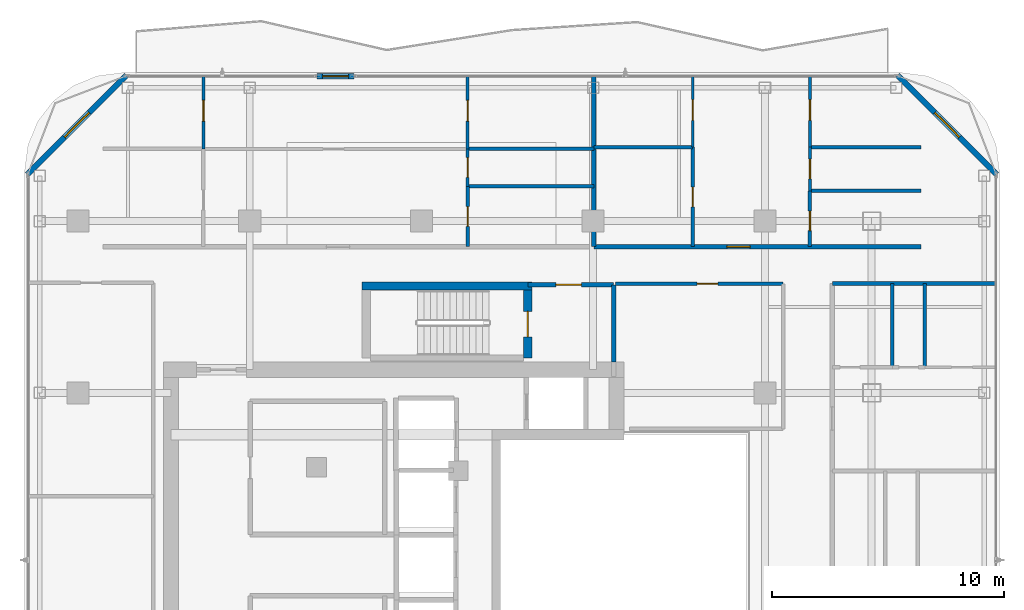
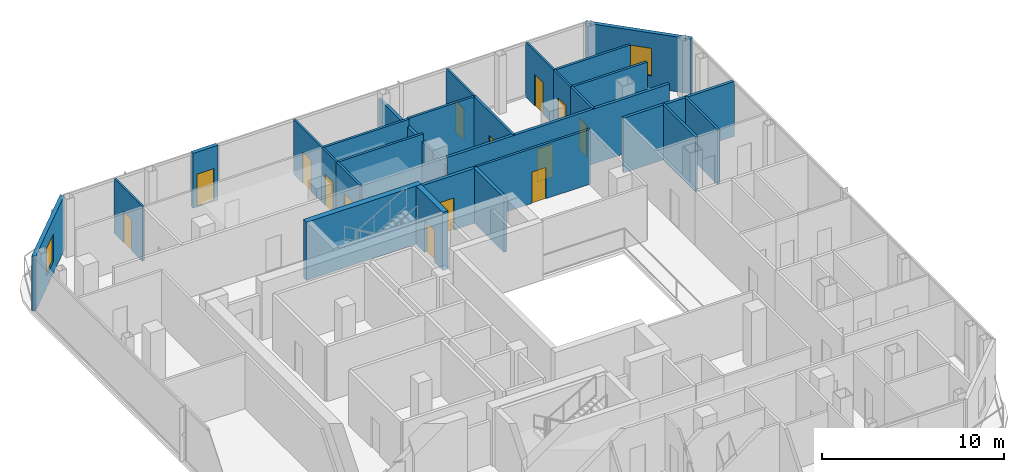
# One storey, part 20 of 26: 27 walls, 14 doors, 2 windows, 16 openings.
"""IFC4 building model written with IfcOpenShell, lengths in metres."""

from ifc_helpers import new_model, si_unit, direction, frame, frame_2d, origin, place, context, subcontext, project, spatial, rectangle, extrude, material, layer, layer_set, type_object, element, fill, save


model = new_model("IFC4")

# Units and contexts
model_context = context("Model", 3, precision=1e-05, world=origin(), true_north=direction((0.0, 1.0)))
body_context = subcontext(model_context, "Body", "Model", "MODEL_VIEW")
ifc_project = project(units=[si_unit("LENGTHUNIT", "METRE"), si_unit("AREAUNIT", "SQUARE_METRE"), si_unit("VOLUMEUNIT", "CUBIC_METRE"), si_unit("PLANEANGLEUNIT", "RADIAN"), si_unit("MASSUNIT", "GRAM", prefix="KILO")], contexts=[model_context])

# Site, building, storey
site_placement = place(None, origin())
site = spatial("IfcSite", under=ifc_project, at=site_placement, CompositionType="ELEMENT")
building_placement = place(site_placement, origin())
building = spatial("IfcBuilding", under=site, at=building_placement, Name="Khorvyn Point Tower", CompositionType="ELEMENT")
storey_placement = place(building_placement, frame((0.0, 0.0, 262.5)))
storey = spatial("IfcBuildingStorey", under=building, at=storey_placement, Name="L64", CompositionType="ELEMENT", Elevation=262.5)

# Wall, opening, door
ifc_material_1 = material(Name="Double acoustic gypsum on twin steel stud", Category="steel")
ifc_layer_1 = layer(ifc_material_1, 0.179931640625)
ifc_layer_set_1 = layer_set([ifc_layer_1], Name="Acoustic Double-Stud Apartment Demising Wall 180")
wall_type_1 = type_object("IfcWallType", Name="Acoustic Double-Stud Apartment Demising Wall 180", PredefinedType="PARTITIONING", material=ifc_layer_set_1)
wall_1_placement = place(storey_placement, frame((7.424072265625, 13.699951171875, 0.0), z_axis=(0.0, 0.0, 1.0), x_axis=(1.0, 0.0, 0.0)))
wall_1 = element("IfcWall", 1, at=wall_1_placement, inside=storey, type_object=wall_type_1, Name="Wall", PredefinedType="PARTITIONING", context=body_context, shape_type="SweptSolid", body=[
    extrude(rectangle(XDim=14.095947265625, YDim=0.179931640625, at=frame_2d((7.0478515625, 0.0))), origin(), (0.0, 0.0, 1.0), 3.679931640625),
])
opening_1_placement = place(wall_1_placement, frame((5.73828125, 0.0, 0.0)))
opening_1 = element("IfcOpeningElement", 2, at=opening_1_placement, cuts=wall_1, Name="Opening ID-AP60", PredefinedType="OPENING", context=body_context, shape_type="SweptSolid", body=[
    extrude(rectangle(XDim=1.0, YDim=2.199951171875, at=frame_2d((0.5, 1.10009765625))), frame((0.0, 0.099853515625, 0.0), z_axis=(0.0, -1.0, 0.0), x_axis=(1.0, 0.0, 0.0)), (0.0, 0.0, 1.0), 0.199951171875),
])
ifc_material_2 = material(Name="Engineered hardwood fire-rated leaf", Category="wood")
door_type_1 = type_object("IfcDoorType", Name="Acoustic Solid-Core Timber Apartment Entrance Door 1000x2200", OperationType="NOTDEFINED", PredefinedType="DOOR", material=ifc_material_2)
door_1_placement = place(opening_1_placement, origin())
door_1 = element("IfcDoor", 3, at=door_1_placement, inside=storey, type_object=door_type_1, Name="Door", OperationType="SINGLE_SWING_RIGHT", OverallHeight=2.199951171875, OverallWidth=1.0, PredefinedType="DOOR", context=body_context, shape_type="SweptSolid", body=[
    extrude(rectangle(XDim=1.0, YDim=2.199951171875, at=frame_2d((0.5, 1.10009765625))), frame((0.0, 0.02490234375, 0.0), z_axis=(0.0, -1.0, 0.0), x_axis=(1.0, 0.0, 0.0)), (0.0, 0.0, 1.0), 0.050048828125),
])
fill(opening_1, door_1)

# Walls
wall_2_placement = place(storey_placement, frame((7.424072265625, 13.699951171875, 0.0), z_axis=(0.0, 0.0, 1.0), x_axis=(0.0, 1.0, 0.0)))
element("IfcWall", 4, at=wall_2_placement, inside=storey, type_object=wall_type_1, Name="Wall", PredefinedType="PARTITIONING", context=body_context, shape_type="SweptSolid", body=[
    extrude(rectangle(XDim=7.330078125, YDim=0.179931640625, at=frame_2d((3.6650390625, 0.0))), origin(), (0.0, 0.0, 1.0), 3.181884765625),
])
wall_3_placement = place(storey_placement, frame((17.699951171875, 12.1201171875, 0.0), z_axis=(0.0, 0.0, 1.0), x_axis=(1.0, 0.0, 0.0)))
element("IfcWall", 5, at=wall_3_placement, inside=storey, type_object=wall_type_1, Name="Wall", PredefinedType="PARTITIONING", context=body_context, shape_type="SweptSolid", body=[
    extrude(rectangle(XDim=7.030029296875, YDim=0.179931640625, at=frame_2d((3.51513671875, 0.0))), origin(), (0.0, 0.0, 1.0), 3.679931640625),
])

# Wall, opening, door
ifc_material_3 = material(Name="Pale anodised aluminium rainscreen on steel stud", Category="steel")
ifc_layer_2 = layer(ifc_material_3, 0.239990234375)
ifc_layer_set_2 = layer_set([ifc_layer_2], Name="Anodised Aluminium Insulated Corner Spandrel Wall 240")
wall_type_2 = type_object("IfcWallType", Name="Anodised Aluminium Insulated Corner Spandrel Wall 240", PredefinedType="SOLIDWALL", material=ifc_layer_set_2)
wall_4_placement = place(storey_placement, frame((-4.4951171875, 21.050048828125, 0.0), z_axis=(0.0, 0.0, 1.0), x_axis=(1.0, 0.0, 0.0)))
wall_4 = element("IfcWall", 6, at=wall_4_placement, inside=storey, type_object=wall_type_2, Name="L64 North Outdoor Threshold Wall", PredefinedType="SOLIDWALL", context=body_context, shape_type="SweptSolid", body=[
    extrude(rectangle(XDim=1.580078125, YDim=0.239990234375, at=frame_2d((0.7900390625, 0.0))), origin(), (0.0, 0.0, 1.0), 3.679931640625),
])
opening_2_placement = place(wall_4_placement, frame((0.239990234375, 0.0, 0.0)))
opening_2 = element("IfcOpeningElement", 7, at=opening_2_placement, cuts=wall_4, Name="Opening BD-1122", PredefinedType="OPENING", context=body_context, shape_type="SweptSolid", body=[
    extrude(rectangle(XDim=1.10009765625, YDim=2.199951171875, at=frame_2d((0.550048828125, 1.10009765625))), frame((0.0, 0.1298828125, 0.0), z_axis=(0.0, -1.0, 0.0), x_axis=(1.0, 0.0, 0.0)), (0.0, 0.0, 1.0), 0.260009765625),
])
ifc_material_4 = material(Name="Anodised aluminium 6063-T6 and laminated Low-E glass", Category="aluminium")
door_type_2 = type_object("IfcDoorType", Name="Glazed Balcony and Terrace Threshold Door 1100x2200", OperationType="NOTDEFINED", PredefinedType="DOOR", material=ifc_material_4)
door_2_placement = place(opening_2_placement, origin())
door_2 = element("IfcDoor", 8, at=door_2_placement, inside=storey, type_object=door_type_2, Name="L64 North Glazed Balcony Outdoor Door", OperationType="SINGLE_SWING_LEFT", OverallHeight=2.199951171875, OverallWidth=1.10009765625, PredefinedType="DOOR", context=body_context, shape_type="SweptSolid", body=[
    extrude(rectangle(XDim=1.10009765625, YDim=2.199951171875, at=frame_2d((0.550048828125, 1.10009765625))), frame((0.0, 0.02490234375, 0.0), z_axis=(0.0, -1.0, 0.0), x_axis=(1.0, 0.0, 0.0)), (0.0, 0.0, 1.0), 0.050048828125),
])
fill(opening_2, door_2)

# Wall, opening, window
wall_5_placement = place(storey_placement, frame((-16.992431640625, 16.8076171875, 0.0), z_axis=(0.0, 0.0, 1.0), x_axis=(0.707126925818, 0.707086635981, 0.0)))
wall_5 = element("IfcWall", 9, at=wall_5_placement, inside=storey, type_object=wall_type_2, Name="L64 Rounded Corner Wall NW", PredefinedType="SOLIDWALL", context=body_context, shape_type="SweptSolid", body=[
    extrude(rectangle(XDim=6.0595703125, YDim=0.239990234375, at=frame_2d((3.02978515625, 0.0))), origin(), (0.0, 0.0, 1.0), 3.679931640625),
])
opening_3_placement = place(wall_5_placement, frame((2.27978515625, 0.0, 0.800048828125)))
opening_3 = element("IfcOpeningElement", 10, at=opening_3_placement, cuts=wall_5, Name="Opening WN-1518", PredefinedType="OPENING", context=body_context, shape_type="SweptSolid", body=[
    extrude(rectangle(XDim=1.5, YDim=1.85009765625, at=frame_2d((0.75, 0.925048828125))), frame((0.0, 0.1298828125, 0.0), z_axis=(0.0, -1.0, 0.0), x_axis=(1.0, 0.0, 0.0)), (0.0, 0.0, 1.0), 0.260009765625),
])
window_type = type_object("IfcWindowType", Name="Anodised Aluminium Rounded-Corner Panoramic Window 1500x1850", PartitioningType="SINGLE_PANEL", PredefinedType="WINDOW", material=ifc_material_4)
window_1_placement = place(opening_3_placement, origin())
window_1 = element("IfcWindow", 11, at=window_1_placement, inside=storey, type_object=window_type, Name="L64 Corner Panoramic Window NW", OverallHeight=1.85009765625, OverallWidth=1.5, PartitioningType="SINGLE_PANEL", PredefinedType="WINDOW", context=body_context, shape_type="SweptSolid", body=[
    extrude(rectangle(XDim=1.5, YDim=1.85009765625, at=frame_2d((0.75, 0.925048828125))), frame((0.0, 0.030029296875, 0.0), z_axis=(0.0, -1.0, 0.0), x_axis=(1.0, 0.0, 0.0)), (0.0, 0.0, 1.0), 0.06005859375),
])
fill(opening_3, window_1)

wall_6_placement = place(storey_placement, frame((20.507568359375, 21.09228515625, 0.0), z_axis=(0.0, 0.0, 1.0), x_axis=(0.707126925818, -0.707086635981, 0.0)))
wall_6 = element("IfcWall", 12, at=wall_6_placement, inside=storey, type_object=wall_type_2, Name="L64 Rounded Corner Wall NE", PredefinedType="SOLIDWALL", context=body_context, shape_type="SweptSolid", body=[
    extrude(rectangle(XDim=6.0595703125, YDim=0.239990234375, at=frame_2d((3.02978515625, 0.0))), origin(), (0.0, 0.0, 1.0), 3.679931640625),
])
opening_4_placement = place(wall_6_placement, frame((2.27978515625, 0.0, 0.800048828125)))
opening_4 = element("IfcOpeningElement", 13, at=opening_4_placement, cuts=wall_6, Name="Opening WN-1518", PredefinedType="OPENING", context=body_context, shape_type="SweptSolid", body=[
    extrude(rectangle(XDim=1.5, YDim=1.85009765625, at=frame_2d((0.75, 0.925048828125))), frame((0.0, 0.1298828125, 0.0), z_axis=(0.0, -1.0, 0.0), x_axis=(1.0, 0.0, 0.0)), (0.0, 0.0, 1.0), 0.260009765625),
])
window_2_placement = place(opening_4_placement, origin())
window_2 = element("IfcWindow", 14, at=window_2_placement, inside=storey, type_object=window_type, Name="L64 Corner Panoramic Window NE", OverallHeight=1.85009765625, OverallWidth=1.5, PartitioningType="SINGLE_PANEL", PredefinedType="WINDOW", context=body_context, shape_type="SweptSolid", body=[
    extrude(rectangle(XDim=1.5, YDim=1.85009765625, at=frame_2d((0.75, 0.925048828125))), frame((0.0, 0.030029296875, 0.0), z_axis=(0.0, -1.0, 0.0), x_axis=(1.0, 0.0, 0.0)), (0.0, 0.0, 1.0), 0.06005859375),
])
fill(opening_4, window_2)

# Wall, opening, door
ifc_material_5 = material(Name="Concrete C40/50", Category="concrete")
ifc_layer_3 = layer(ifc_material_5, 0.199951171875)
ifc_layer_set_3 = layer_set([ifc_layer_3], Name="Concrete C40/50 Fire-Lobby Compartment Wall 200")
wall_type_3 = type_object("IfcWallType", Name="Concrete C40/50 Fire-Lobby Compartment Wall 200", PredefinedType="SOLIDWALL", material=ifc_layer_set_3)
wall_7_placement = place(storey_placement, frame((4.580078125, 12.06005859375, 0.0), z_axis=(0.0, 0.0, 1.0), x_axis=(1.0, 0.0, 0.0)))
wall_7 = element("IfcWall", 15, at=wall_7_placement, inside=storey, type_object=wall_type_3, Name="Wall", PredefinedType="SOLIDWALL", context=body_context, shape_type="SweptSolid", body=[
    extrude(rectangle(XDim=3.699951171875, YDim=0.199951171875, at=frame_2d((1.85009765625, 0.0))), origin(), (0.0, 0.0, 1.0), 3.679931640625),
])
opening_5_placement = place(wall_7_placement, frame((1.21240234375, 0.0, 0.0)))
opening_5 = element("IfcOpeningElement", 16, at=opening_5_placement, cuts=wall_7, Name="Opening ID-FL90", PredefinedType="OPENING", context=body_context, shape_type="SweptSolid", body=[
    extrude(rectangle(XDim=1.10009765625, YDim=2.14990234375, at=frame_2d((0.550048828125, 1.074951171875))), frame((0.0, 0.10986328125, 0.0), z_axis=(0.0, -1.0, 0.0), x_axis=(1.0, 0.0, 0.0)), (0.0, 0.0, 1.0), 0.219970703125),
])
ifc_material_6 = material(Name="Galvanised powder-coated steel", Category="steel")
door_type_3 = type_object("IfcDoorType", Name="Fire-Rated Steel Lobby and Stair Door 1100x2150", OperationType="NOTDEFINED", PredefinedType="DOOR", material=ifc_material_6)
door_3_placement = place(opening_5_placement, origin())
door_3 = element("IfcDoor", 17, at=door_3_placement, inside=storey, type_object=door_type_3, Name="Door", OperationType="SINGLE_SWING_LEFT", OverallHeight=2.14990234375, OverallWidth=1.10009765625, PredefinedType="DOOR", context=body_context, shape_type="SweptSolid", body=[
    extrude(rectangle(XDim=1.10009765625, YDim=2.14990234375, at=frame_2d((0.550048828125, 1.074951171875))), frame((0.0, 0.02490234375, 0.0), z_axis=(0.0, -1.0, 0.0), x_axis=(1.0, 0.0, 0.0)), (0.0, 0.0, 1.0), 0.050048828125),
])
fill(opening_5, door_3)

# Walls
wall_8_placement = place(storey_placement, frame((8.280029296875, 8.72509765625, 0.0), z_axis=(0.0, 0.0, 1.0), x_axis=(0.0, 1.0, 0.0)))
element("IfcWall", 18, at=wall_8_placement, inside=storey, type_object=wall_type_3, Name="Wall", PredefinedType="SOLIDWALL", context=body_context, shape_type="SweptSolid", body=[
    extrude(rectangle(XDim=3.3349609375, YDim=0.199951171875, at=frame_2d((1.66748046875, 0.0))), origin(), (0.0, 0.0, 1.0), 3.679931640625),
])
ifc_layer_4 = layer(ifc_material_5, 0.35009765625)
ifc_layer_set_4 = layer_set([ifc_layer_4], Name="Concrete C40/50 Stair Shaft Structural Wall 350")
wall_type_4 = type_object("IfcWallType", Name="Concrete C40/50 Stair Shaft Structural Wall 350", PredefinedType="SHEAR", material=ifc_layer_set_4)
wall_9_placement = place(storey_placement, frame((-2.554931640625, 12.0, 0.0), z_axis=(0.0, 0.0, 1.0), x_axis=(1.0, 0.0, 0.0)))
element("IfcWall", 19, at=wall_9_placement, inside=storey, type_object=wall_type_4, Name="L64 ST-02 North Shaft Wall", PredefinedType="SHEAR", context=body_context, shape_type="SweptSolid", body=[
    extrude(rectangle(XDim=7.309814453125, YDim=0.35009765625, at=frame_2d((3.65478515625, 0.0))), origin(), (0.0, 0.0, 1.0), 3.89990234375),
])

# Wall, opening, door
wall_10_placement = place(storey_placement, frame((4.580078125, 11.824951171875, 0.0), z_axis=(0.0, 0.0, 1.0), x_axis=(0.0, -1.0, 0.0)))
wall_10 = element("IfcWall", 20, at=wall_10_placement, inside=storey, type_object=wall_type_4, Name="L64 ST-02 East Landing Door Wall", PredefinedType="SHEAR", context=body_context, shape_type="SweptSolid", body=[
    extrude(rectangle(XDim=2.925048828125, YDim=0.35009765625, at=frame_2d((1.46240234375, 0.0))), origin(), (0.0, 0.0, 1.0), 3.89990234375),
])
opening_6_placement = place(wall_10_placement, frame((0.91259765625, 0.0, 0.0)))
opening_6 = element("IfcOpeningElement", 21, at=opening_6_placement, cuts=wall_10, Name="Opening ID-FL90", PredefinedType="OPENING", context=body_context, shape_type="SweptSolid", body=[
    extrude(rectangle(XDim=1.10009765625, YDim=2.14990234375, at=frame_2d((0.550048828125, 1.074951171875))), frame((0.0, 0.18505859375, 0.0), z_axis=(0.0, -1.0, 0.0), x_axis=(1.0, 0.0, 0.0)), (0.0, 0.0, 1.0), 0.3701171875),
])
door_4_placement = place(opening_6_placement, origin())
door_4 = element("IfcDoor", 22, at=door_4_placement, inside=storey, type_object=door_type_3, Name="L64 ST-02 Smokeproof Landing Door", OperationType="SINGLE_SWING_LEFT", OverallHeight=2.14990234375, OverallWidth=1.10009765625, PredefinedType="DOOR", context=body_context, shape_type="SweptSolid", body=[
    extrude(rectangle(XDim=1.10009765625, YDim=2.14990234375, at=frame_2d((0.550048828125, 1.074951171875))), frame((0.0, 0.02490234375, 0.0), z_axis=(0.0, -1.0, 0.0), x_axis=(1.0, 0.0, 0.0)), (0.0, 0.0, 1.0), 0.050048828125),
])
fill(opening_6, door_4)

ifc_material_7 = material(Name="Gypsum plasterboard on steel stud", Category="steel")
ifc_layer_5 = layer(ifc_material_7, 0.1201171875)
ifc_layer_set_5 = layer_set([ifc_layer_5], Name="Gypsum Acoustic Stud Room Partition Wall 120")
wall_type_5 = type_object("IfcWallType", Name="Gypsum Acoustic Stud Room Partition Wall 120", PredefinedType="PARTITIONING", material=ifc_layer_set_5)
wall_11_placement = place(storey_placement, frame((-9.39501953125, 17.9130859375, 0.0), z_axis=(0.0, 0.0, 1.0), x_axis=(0.0, 1.0, 0.0)))
wall_11 = element("IfcWall", 23, at=wall_11_placement, inside=storey, type_object=wall_type_5, Name="Wall", PredefinedType="PARTITIONING", context=body_context, shape_type="SweptSolid", body=[
    extrude(rectangle(XDim=3.116943359375, YDim=0.1201171875, at=frame_2d((1.55859375, 0.0))), origin(), (0.0, 0.0, 1.0), 3.679931640625),
])
opening_7_placement = place(wall_11_placement, frame((1.194580078125, 0.0, 0.0)))
opening_7 = element("IfcOpeningElement", 24, at=opening_7_placement, cuts=wall_11, Name="Opening ID-RM90", PredefinedType="OPENING", context=body_context, shape_type="SweptSolid", body=[
    extrude(rectangle(XDim=0.89990234375, YDim=2.10009765625, at=frame_2d((0.449951171875, 1.050048828125))), frame((0.0, 0.070068359375, 0.0), z_axis=(0.0, -1.0, 0.0), x_axis=(1.0, 0.0, 0.0)), (0.0, 0.0, 1.0), 0.14013671875),
])
ifc_material_8 = material(Name="Engineered oak veneer timber", Category="wood")
door_type_4 = type_object("IfcDoorType", Name="Flush Engineered Timber Room Door 900x2100", OperationType="NOTDEFINED", PredefinedType="DOOR", material=ifc_material_8)
door_5_placement = place(opening_7_placement, origin())
door_5 = element("IfcDoor", 25, at=door_5_placement, inside=storey, type_object=door_type_4, Name="Door", OperationType="SINGLE_SWING_RIGHT", OverallHeight=2.10009765625, OverallWidth=0.89990234375, PredefinedType="DOOR", context=body_context, shape_type="SweptSolid", body=[
    extrude(rectangle(XDim=0.89990234375, YDim=2.10009765625, at=frame_2d((0.449951171875, 1.050048828125))), frame((0.0, 0.02490234375, 0.0), z_axis=(0.0, -1.0, 0.0), x_axis=(1.0, 0.0, 0.0)), (0.0, 0.0, 1.0), 0.050048828125),
])
fill(opening_7, door_5)

wall_12_placement = place(storey_placement, frame((1.986083984375, 16.303955078125, 0.0), z_axis=(0.0, 0.0, 1.0), x_axis=(0.0, 1.0, 0.0)))
wall_12 = element("IfcWall", 26, at=wall_12_placement, inside=storey, type_object=wall_type_5, Name="Wall", PredefinedType="PARTITIONING", context=body_context, shape_type="SweptSolid", body=[
    extrude(rectangle(XDim=1.609130859375, YDim=0.1201171875, at=frame_2d((0.8046875, 0.0))), origin(), (0.0, 0.0, 1.0), 3.679931640625),
])
opening_8_placement = place(wall_12_placement, frame((0.37939453125, 0.0, 0.0)))
opening_8 = element("IfcOpeningElement", 27, at=opening_8_placement, cuts=wall_12, Name="Opening ID-WC85", PredefinedType="OPENING", context=body_context, shape_type="SweptSolid", body=[
    extrude(rectangle(XDim=0.85009765625, YDim=2.10009765625, at=frame_2d((0.425048828125, 1.050048828125))), frame((0.0, 0.070068359375, 0.0), z_axis=(0.0, -1.0, 0.0), x_axis=(1.0, 0.0, 0.0)), (0.0, 0.0, 1.0), 0.14013671875),
])
ifc_material_9 = material(Name="High-pressure laminate on moisture-resistant core", Category="wood")
door_type_5 = type_object("IfcDoorType", Name="Moisture-Resistant Accessible Washroom Door 850x2100", OperationType="NOTDEFINED", PredefinedType="DOOR", material=ifc_material_9)
door_6_placement = place(opening_8_placement, origin())
door_6 = element("IfcDoor", 28, at=door_6_placement, inside=storey, type_object=door_type_5, Name="Door", OperationType="SINGLE_SWING_RIGHT", OverallHeight=2.10009765625, OverallWidth=0.85009765625, PredefinedType="DOOR", context=body_context, shape_type="SweptSolid", body=[
    extrude(rectangle(XDim=0.85009765625, YDim=2.10009765625, at=frame_2d((0.425048828125, 1.050048828125))), frame((0.0, 0.02490234375, 0.0), z_axis=(0.0, -1.0, 0.0), x_axis=(1.0, 0.0, 0.0)), (0.0, 0.0, 1.0), 0.050048828125),
])
fill(opening_8, door_6)

wall_13_placement = place(storey_placement, frame((1.986083984375, 17.9130859375, 0.0), z_axis=(0.0, 0.0, 1.0), x_axis=(0.0, 1.0, 0.0)))
wall_13 = element("IfcWall", 29, at=wall_13_placement, inside=storey, type_object=wall_type_5, Name="Wall", PredefinedType="PARTITIONING", context=body_context, shape_type="SweptSolid", body=[
    extrude(rectangle(XDim=3.116943359375, YDim=0.1201171875, at=frame_2d((1.55859375, 0.0))), origin(), (0.0, 0.0, 1.0), 3.679931640625),
])
opening_9_placement = place(wall_13_placement, frame((1.194580078125, 0.0, 0.0)))
opening_9 = element("IfcOpeningElement", 30, at=opening_9_placement, cuts=wall_13, Name="Opening ID-RM90", PredefinedType="OPENING", context=body_context, shape_type="SweptSolid", body=[
    extrude(rectangle(XDim=0.89990234375, YDim=2.10009765625, at=frame_2d((0.449951171875, 1.050048828125))), frame((0.0, 0.070068359375, 0.0), z_axis=(0.0, -1.0, 0.0), x_axis=(1.0, 0.0, 0.0)), (0.0, 0.0, 1.0), 0.14013671875),
])
door_7_placement = place(opening_9_placement, origin())
door_7 = element("IfcDoor", 31, at=door_7_placement, inside=storey, type_object=door_type_4, Name="Door", OperationType="SINGLE_SWING_LEFT", OverallHeight=2.10009765625, OverallWidth=0.89990234375, PredefinedType="DOOR", context=body_context, shape_type="SweptSolid", body=[
    extrude(rectangle(XDim=0.89990234375, YDim=2.10009765625, at=frame_2d((0.449951171875, 1.050048828125))), frame((0.0, 0.02490234375, 0.0), z_axis=(0.0, -1.0, 0.0), x_axis=(1.0, 0.0, 0.0)), (0.0, 0.0, 1.0), 0.050048828125),
])
fill(opening_9, door_7)

wall_14_placement = place(storey_placement, frame((11.68408203125, 17.989990234375, 0.0), z_axis=(0.0, 0.0, 1.0), x_axis=(0.0, 1.0, 0.0)))
wall_14 = element("IfcWall", 32, at=wall_14_placement, inside=storey, type_object=wall_type_5, Name="Wall", PredefinedType="PARTITIONING", context=body_context, shape_type="SweptSolid", body=[
    extrude(rectangle(XDim=3.0400390625, YDim=0.1201171875, at=frame_2d((1.52001953125, 0.0))), origin(), (0.0, 0.0, 1.0), 3.679931640625),
])
opening_10_placement = place(wall_14_placement, frame((1.152587890625, 0.0, 0.0)))
opening_10 = element("IfcOpeningElement", 33, at=opening_10_placement, cuts=wall_14, Name="Opening ID-RM90", PredefinedType="OPENING", context=body_context, shape_type="SweptSolid", body=[
    extrude(rectangle(XDim=0.89990234375, YDim=2.10009765625, at=frame_2d((0.449951171875, 1.050048828125))), frame((0.0, 0.070068359375, 0.0), z_axis=(0.0, -1.0, 0.0), x_axis=(1.0, 0.0, 0.0)), (0.0, 0.0, 1.0), 0.14013671875),
])
door_8_placement = place(opening_10_placement, origin())
door_8 = element("IfcDoor", 34, at=door_8_placement, inside=storey, type_object=door_type_4, Name="Door", OperationType="SINGLE_SWING_RIGHT", OverallHeight=2.10009765625, OverallWidth=0.89990234375, PredefinedType="DOOR", context=body_context, shape_type="SweptSolid", body=[
    extrude(rectangle(XDim=0.89990234375, YDim=2.10009765625, at=frame_2d((0.449951171875, 1.050048828125))), frame((0.0, 0.02490234375, 0.0), z_axis=(0.0, -1.0, 0.0), x_axis=(1.0, 0.0, 0.0)), (0.0, 0.0, 1.0), 0.050048828125),
])
fill(opening_10, door_8)

wall_15_placement = place(storey_placement, frame((16.738037109375, 16.10205078125, 0.0), z_axis=(0.0, 0.0, 1.0), x_axis=(0.0, 1.0, 0.0)))
wall_15 = element("IfcWall", 35, at=wall_15_placement, inside=storey, type_object=wall_type_5, Name="Wall", PredefinedType="PARTITIONING", context=body_context, shape_type="SweptSolid", body=[
    extrude(rectangle(XDim=1.887939453125, YDim=0.1201171875, at=frame_2d((0.94384765625, 0.0))), origin(), (0.0, 0.0, 1.0), 3.679931640625),
])
opening_11_placement = place(wall_15_placement, frame((0.51904296875, 0.0, 0.0)))
opening_11 = element("IfcOpeningElement", 36, at=opening_11_placement, cuts=wall_15, Name="Opening ID-WC85", PredefinedType="OPENING", context=body_context, shape_type="SweptSolid", body=[
    extrude(rectangle(XDim=0.85009765625, YDim=2.10009765625, at=frame_2d((0.425048828125, 1.050048828125))), frame((0.0, 0.070068359375, 0.0), z_axis=(0.0, -1.0, 0.0), x_axis=(1.0, 0.0, 0.0)), (0.0, 0.0, 1.0), 0.14013671875),
])
door_9_placement = place(opening_11_placement, origin())
door_9 = element("IfcDoor", 37, at=door_9_placement, inside=storey, type_object=door_type_5, Name="Door", OperationType="SINGLE_SWING_RIGHT", OverallHeight=2.10009765625, OverallWidth=0.85009765625, PredefinedType="DOOR", context=body_context, shape_type="SweptSolid", body=[
    extrude(rectangle(XDim=0.85009765625, YDim=2.10009765625, at=frame_2d((0.425048828125, 1.050048828125))), frame((0.0, 0.02490234375, 0.0), z_axis=(0.0, -1.0, 0.0), x_axis=(1.0, 0.0, 0.0)), (0.0, 0.0, 1.0), 0.050048828125),
])
fill(opening_11, door_9)

wall_16_placement = place(storey_placement, frame((16.738037109375, 17.989990234375, 0.0), z_axis=(0.0, 0.0, 1.0), x_axis=(0.0, 1.0, 0.0)))
wall_16 = element("IfcWall", 38, at=wall_16_placement, inside=storey, type_object=wall_type_5, Name="Wall", PredefinedType="PARTITIONING", context=body_context, shape_type="SweptSolid", body=[
    extrude(rectangle(XDim=3.0400390625, YDim=0.1201171875, at=frame_2d((1.52001953125, 0.0))), origin(), (0.0, 0.0, 1.0), 3.679931640625),
])
opening_12_placement = place(wall_16_placement, frame((1.152587890625, 0.0, 0.0)))
opening_12 = element("IfcOpeningElement", 39, at=opening_12_placement, cuts=wall_16, Name="Opening ID-RM90", PredefinedType="OPENING", context=body_context, shape_type="SweptSolid", body=[
    extrude(rectangle(XDim=0.89990234375, YDim=2.10009765625, at=frame_2d((0.449951171875, 1.050048828125))), frame((0.0, 0.070068359375, 0.0), z_axis=(0.0, -1.0, 0.0), x_axis=(1.0, 0.0, 0.0)), (0.0, 0.0, 1.0), 0.14013671875),
])
door_10_placement = place(opening_12_placement, origin())
door_10 = element("IfcDoor", 40, at=door_10_placement, inside=storey, type_object=door_type_4, Name="Door", OperationType="SINGLE_SWING_LEFT", OverallHeight=2.10009765625, OverallWidth=0.89990234375, PredefinedType="DOOR", context=body_context, shape_type="SweptSolid", body=[
    extrude(rectangle(XDim=0.89990234375, YDim=2.10009765625, at=frame_2d((0.449951171875, 1.050048828125))), frame((0.0, 0.02490234375, 0.0), z_axis=(0.0, -1.0, 0.0), x_axis=(1.0, 0.0, 0.0)), (0.0, 0.0, 1.0), 0.050048828125),
])
fill(opening_12, door_10)

ifc_material_10 = material(Name="Moisture-resistant gypsum and cement board", Category="gypsum")
ifc_layer_6 = layer(ifc_material_10, 0.14990234375)
ifc_layer_set_6 = layer_set([ifc_layer_6], Name="Moisture-Resistant Wet-Room Partition Wall 150")
wall_type_6 = type_object("IfcWallType", Name="Moisture-Resistant Wet-Room Partition Wall 150", PredefinedType="PARTITIONING", material=ifc_layer_set_6)
wall_17_placement = place(storey_placement, frame((8.360107421875, 12.10009765625, 0.0), z_axis=(0.0, 0.0, 1.0), x_axis=(1.0, 0.0, 0.0)))
wall_17 = element("IfcWall", 41, at=wall_17_placement, inside=storey, type_object=wall_type_6, Name="Wall", PredefinedType="PARTITIONING", context=body_context, shape_type="SweptSolid", body=[
    extrude(rectangle(XDim=7.219970703125, YDim=0.14990234375, at=frame_2d((3.60986328125, 0.0))), origin(), (0.0, 0.0, 1.0), 3.679931640625),
])
opening_13_placement = place(wall_17_placement, frame((3.512939453125, 0.0, 0.0)))
opening_13 = element("IfcOpeningElement", 42, at=opening_13_placement, cuts=wall_17, Name="Opening ID-RM90", PredefinedType="OPENING", context=body_context, shape_type="SweptSolid", body=[
    extrude(rectangle(XDim=0.89990234375, YDim=2.10009765625, at=frame_2d((0.449951171875, 1.050048828125))), frame((0.0, 0.0849609375, 0.0), z_axis=(0.0, -1.0, 0.0), x_axis=(1.0, 0.0, 0.0)), (0.0, 0.0, 1.0), 0.169921875),
])
door_11_placement = place(opening_13_placement, origin())
door_11 = element("IfcDoor", 43, at=door_11_placement, inside=storey, type_object=door_type_4, Name="Door", OperationType="SINGLE_SWING_RIGHT", OverallHeight=2.10009765625, OverallWidth=0.89990234375, PredefinedType="DOOR", context=body_context, shape_type="SweptSolid", body=[
    extrude(rectangle(XDim=0.89990234375, YDim=2.10009765625, at=frame_2d((0.449951171875, 1.050048828125))), frame((0.0, 0.02490234375, 0.0), z_axis=(0.0, -1.0, 0.0), x_axis=(1.0, 0.0, 0.0)), (0.0, 0.0, 1.0), 0.050048828125),
])
fill(opening_13, door_11)

wall_18_placement = place(storey_placement, frame((1.986083984375, 13.699951171875, 0.0), z_axis=(0.0, 0.0, 1.0), x_axis=(0.0, 1.0, 0.0)))
wall_18 = element("IfcWall", 44, at=wall_18_placement, inside=storey, type_object=wall_type_6, Name="Wall", PredefinedType="PARTITIONING", context=body_context, shape_type="SweptSolid", body=[
    extrude(rectangle(XDim=2.60400390625, YDim=0.14990234375, at=frame_2d((1.302001953125, 0.0))), origin(), (0.0, 0.0, 1.0), 3.679931640625),
])
opening_14_placement = place(wall_18_placement, frame((0.876953125, 0.0, 0.0)))
opening_14 = element("IfcOpeningElement", 45, at=opening_14_placement, cuts=wall_18, Name="Opening ID-WC85", PredefinedType="OPENING", context=body_context, shape_type="SweptSolid", body=[
    extrude(rectangle(XDim=0.85009765625, YDim=2.10009765625, at=frame_2d((0.425048828125, 1.050048828125))), frame((0.0, 0.0849609375, 0.0), z_axis=(0.0, -1.0, 0.0), x_axis=(1.0, 0.0, 0.0)), (0.0, 0.0, 1.0), 0.169921875),
])
door_12_placement = place(opening_14_placement, origin())
door_12 = element("IfcDoor", 46, at=door_12_placement, inside=storey, type_object=door_type_5, Name="Door", OperationType="SINGLE_SWING_LEFT", OverallHeight=2.10009765625, OverallWidth=0.85009765625, PredefinedType="DOOR", context=body_context, shape_type="SweptSolid", body=[
    extrude(rectangle(XDim=0.85009765625, YDim=2.10009765625, at=frame_2d((0.425048828125, 1.050048828125))), frame((0.0, 0.02490234375, 0.0), z_axis=(0.0, -1.0, 0.0), x_axis=(1.0, 0.0, 0.0)), (0.0, 0.0, 1.0), 0.050048828125),
])
fill(opening_14, door_12)

wall_19_placement = place(storey_placement, frame((11.68408203125, 13.699951171875, 0.0), z_axis=(0.0, 0.0, 1.0), x_axis=(0.0, 1.0, 0.0)))
wall_19 = element("IfcWall", 47, at=wall_19_placement, inside=storey, type_object=wall_type_6, Name="Wall", PredefinedType="PARTITIONING", context=body_context, shape_type="SweptSolid", body=[
    extrude(rectangle(XDim=4.2900390625, YDim=0.14990234375, at=frame_2d((2.14501953125, 0.0))), origin(), (0.0, 0.0, 1.0), 3.679931640625),
])
opening_15_placement = place(wall_19_placement, frame((1.719970703125, 0.0, 0.0)))
opening_15 = element("IfcOpeningElement", 48, at=opening_15_placement, cuts=wall_19, Name="Opening ID-WC85", PredefinedType="OPENING", context=body_context, shape_type="SweptSolid", body=[
    extrude(rectangle(XDim=0.85009765625, YDim=2.10009765625, at=frame_2d((0.425048828125, 1.050048828125))), frame((0.0, 0.0849609375, 0.0), z_axis=(0.0, -1.0, 0.0), x_axis=(1.0, 0.0, 0.0)), (0.0, 0.0, 1.0), 0.169921875),
])
door_13_placement = place(opening_15_placement, origin())
door_13 = element("IfcDoor", 49, at=door_13_placement, inside=storey, type_object=door_type_5, Name="Door", OperationType="SINGLE_SWING_LEFT", OverallHeight=2.10009765625, OverallWidth=0.85009765625, PredefinedType="DOOR", context=body_context, shape_type="SweptSolid", body=[
    extrude(rectangle(XDim=0.85009765625, YDim=2.10009765625, at=frame_2d((0.425048828125, 1.050048828125))), frame((0.0, 0.02490234375, 0.0), z_axis=(0.0, -1.0, 0.0), x_axis=(1.0, 0.0, 0.0)), (0.0, 0.0, 1.0), 0.050048828125),
])
fill(opening_15, door_13)

wall_20_placement = place(storey_placement, frame((16.738037109375, 13.699951171875, 0.0), z_axis=(0.0, 0.0, 1.0), x_axis=(0.0, 1.0, 0.0)))
wall_20 = element("IfcWall", 50, at=wall_20_placement, inside=storey, type_object=wall_type_6, Name="Wall", PredefinedType="PARTITIONING", context=body_context, shape_type="SweptSolid", body=[
    extrude(rectangle(XDim=2.402099609375, YDim=0.14990234375, at=frame_2d((1.201171875, 0.0))), origin(), (0.0, 0.0, 1.0), 3.679931640625),
])
opening_16_placement = place(wall_20_placement, frame((0.68798828125, 0.0, 0.0)))
opening_16 = element("IfcOpeningElement", 51, at=opening_16_placement, cuts=wall_20, Name="Opening ID-WC85", PredefinedType="OPENING", context=body_context, shape_type="SweptSolid", body=[
    extrude(rectangle(XDim=0.85009765625, YDim=2.10009765625, at=frame_2d((0.425048828125, 1.050048828125))), frame((0.0, 0.0849609375, 0.0), z_axis=(0.0, -1.0, 0.0), x_axis=(1.0, 0.0, 0.0)), (0.0, 0.0, 1.0), 0.169921875),
])
door_14_placement = place(opening_16_placement, origin())
door_14 = element("IfcDoor", 52, at=door_14_placement, inside=storey, type_object=door_type_5, Name="Door", OperationType="SINGLE_SWING_LEFT", OverallHeight=2.10009765625, OverallWidth=0.85009765625, PredefinedType="DOOR", context=body_context, shape_type="SweptSolid", body=[
    extrude(rectangle(XDim=0.85009765625, YDim=2.10009765625, at=frame_2d((0.425048828125, 1.050048828125))), frame((0.0, 0.02490234375, 0.0), z_axis=(0.0, -1.0, 0.0), x_axis=(1.0, 0.0, 0.0)), (0.0, 0.0, 1.0), 0.050048828125),
])
fill(opening_16, door_14)

# Walls
for number, where, z_axis, x_axis, name in (
    (53, (1.986083984375, 16.303955078125, 0.0), (0.0, 0.0, 1.0), (1.0, 0.0, 0.0), "Wall"),
    (54, (1.986083984375, 17.9130859375, 0.0), (0.0, 0.0, 1.0), (1.0, 0.0, 0.0), "Wall"),
):
    element("IfcWall", number, at=place(storey_placement, frame(where, z_axis=z_axis, x_axis=x_axis)), inside=storey, type_object=wall_type_6, Name=name, PredefinedType="PARTITIONING", context=body_context, shape_type="SweptSolid", body=[
        extrude(rectangle(XDim=5.43798828125, YDim=0.14990234375, at=frame_2d((2.718994140625, 0.0))), origin(), (0.0, 0.0, 1.0), 3.679931640625),
    ])
wall_21_placement = place(storey_placement, frame((7.424072265625, 17.989990234375, 0.0), z_axis=(0.0, 0.0, 1.0), x_axis=(1.0, 0.0, 0.0)))
element("IfcWall", 55, at=wall_21_placement, inside=storey, type_object=wall_type_6, Name="Wall", PredefinedType="PARTITIONING", context=body_context, shape_type="SweptSolid", body=[
    extrude(rectangle(XDim=4.260009765625, YDim=0.14990234375, at=frame_2d((2.1298828125, 0.0))), origin(), (0.0, 0.0, 1.0), 3.679931640625),
])
for number, where, z_axis, x_axis, name in (
    (56, (16.738037109375, 16.10205078125, 0.0), (0.0, 0.0, 1.0), (1.0, 0.0, 0.0), "Wall"),
    (57, (16.738037109375, 17.989990234375, 0.0), (0.0, 0.0, 1.0), (1.0, 0.0, 0.0), "Wall"),
):
    element("IfcWall", number, at=place(storey_placement, frame(where, z_axis=z_axis, x_axis=x_axis)), inside=storey, type_object=wall_type_6, Name=name, PredefinedType="PARTITIONING", context=body_context, shape_type="SweptSolid", body=[
        extrude(rectangle(XDim=4.781982421875, YDim=0.14990234375, at=frame_2d((2.39111328125, 0.0))), origin(), (0.0, 0.0, 1.0), 3.679931640625),
    ])
for number, where, z_axis, x_axis, name in (
    (58, (20.2900390625, 8.5048828125, 0.0), (0.0, 0.0, 1.0), (0.0, 1.0, 0.0), "Wall"),
    (59, (21.68994140625, 8.5048828125, 0.0), (0.0, 0.0, 1.0), (0.0, 1.0, 0.0), "Wall"),
):
    element("IfcWall", number, at=place(storey_placement, frame(where, z_axis=z_axis, x_axis=x_axis)), inside=storey, type_object=wall_type_6, Name=name, PredefinedType="PARTITIONING", context=body_context, shape_type="SweptSolid", body=[
        extrude(rectangle(XDim=3.615234375, YDim=0.14990234375, at=frame_2d((1.8076171875, 0.0))), origin(), (0.0, 0.0, 1.0), 3.679931640625),
    ])

save(model, "model.ifc")
